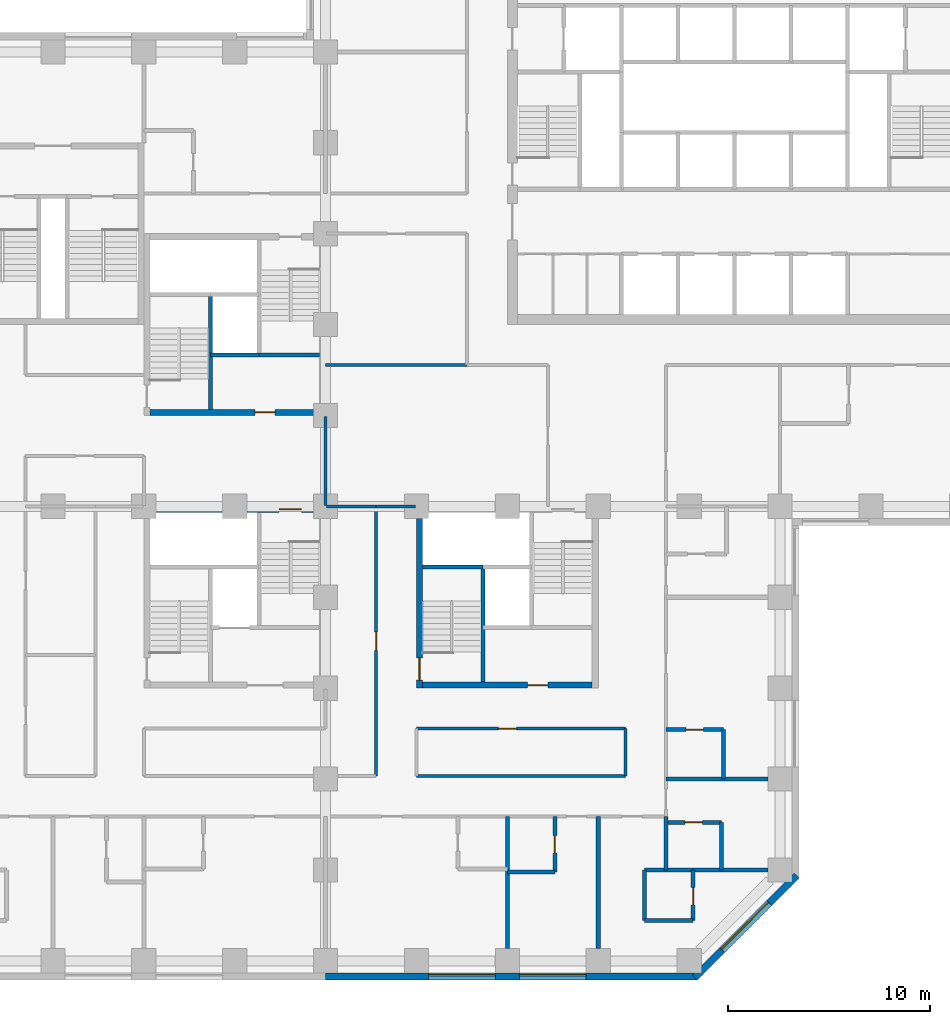
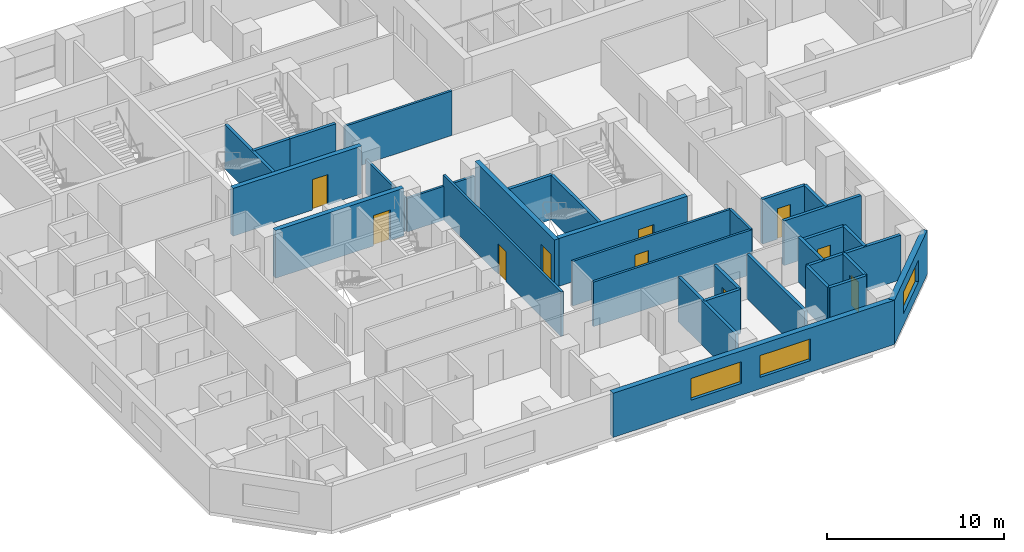
# One storey, part 4 of 12: 33 walls, 10 doors, 3 windows, 13 openings.
"""IFC4 building model written with IfcOpenShell, lengths in metres."""

from ifc_helpers import new_model, si_unit, direction, frame, frame_2d, origin, place, context, subcontext, project, spatial, rectangle, extrude, material, layer, layer_set, constituent, constituent_set, type_object, element, fill, save


model = new_model("IFC4")

# Units and contexts
model_context = context("Model", 3, precision=1e-05, world=origin(), true_north=direction((0.0, 1.0)))
body_context = subcontext(model_context, "Body", "Model", "MODEL_VIEW")
ifc_project = project(units=[si_unit("LENGTHUNIT", "METRE"), si_unit("AREAUNIT", "SQUARE_METRE"), si_unit("VOLUMEUNIT", "CUBIC_METRE"), si_unit("PLANEANGLEUNIT", "RADIAN"), si_unit("MASSUNIT", "GRAM", prefix="KILO")], contexts=[model_context])

# Site, building, storey
site_placement = place(None, origin())
site = spatial("IfcSite", under=ifc_project, at=site_placement, CompositionType="ELEMENT")
building_placement = place(site_placement, origin())
building = spatial("IfcBuilding", under=site, at=building_placement, Name="Quoin Convention Tower", CompositionType="ELEMENT")
storey_placement = place(building_placement, frame((0.0, 0.0, 33.0)))
storey = spatial("IfcBuildingStorey", under=building, at=storey_placement, Name="L07", CompositionType="ELEMENT", Elevation=33.0)

# Wall, openings, windows
ifc_material_1 = material(Name="Brick masonry", Category="masonry")
ifc_layer_1 = layer(ifc_material_1, 0.35009765625)
ifc_layer_set_1 = layer_set([ifc_layer_1], Name="Brick masonry")
wall_type_1 = type_object("IfcWallType", Name="Brick facade wall", PredefinedType="STANDARD", material=ifc_layer_set_1)
wall_1_placement = place(storey_placement, frame((36.0, 17.22509765625, 0.0), z_axis=(0.0, 0.0, 1.0), x_axis=(1.0, 0.0, 0.0)))
wall_1 = element("IfcWall", 1, at=wall_1_placement, inside=storey, type_object=wall_type_1, Name="fw-L07-36000_18000", PredefinedType="STANDARD", context=body_context, shape_type="SweptSolid", body=[
    extrude(rectangle(XDim=18.3935546875, YDim=0.35009765625, at=frame_2d((9.19677734375, 0.0))), origin(), (0.0, 0.0, 1.0), 3.054931640625),
])
opening_1_placement = place(wall_1_placement, frame((5.10009765625, 0.0, 0.800048828125)))
opening_1 = element("IfcOpeningElement", 2, at=opening_1_placement, cuts=wall_1, Name="Opening W-01", PredefinedType="OPENING", context=body_context, shape_type="SweptSolid", body=[
    extrude(rectangle(XDim=3.300048828125, YDim=1.5, at=frame_2d((1.64990234375, 0.75))), frame((0.0, 0.18505859375, 0.0), z_axis=(0.0, -1.0, 0.0), x_axis=(1.0, 0.0, 0.0)), (0.0, 0.0, 1.0), 0.3701171875),
])
opening_2_placement = place(wall_1_placement, frame((9.60009765625, 0.0, 0.800048828125)))
opening_2 = element("IfcOpeningElement", 3, at=opening_2_placement, cuts=wall_1, Name="Opening W-01", PredefinedType="OPENING", context=body_context, shape_type="SweptSolid", body=[
    extrude(rectangle(XDim=3.300048828125, YDim=1.5, at=frame_2d((1.64990234375, 0.75))), frame((0.0, 0.18505859375, 0.0), z_axis=(0.0, -1.0, 0.0), x_axis=(1.0, 0.0, 0.0)), (0.0, 0.0, 1.0), 0.3701171875),
])
ifc_material_2 = material(Name="Aluminium", Category="aluminium")
ifc_constituent_1 = constituent(ifc_material_2, Name="Frame")
ifc_material_3 = material(Name="Insulated glass", Category="glass")
ifc_constituent_2 = constituent(ifc_material_3, Name="Glazing")
ifc_constituent_set = constituent_set(constituents=[ifc_constituent_1, ifc_constituent_2], Name="Aluminium")
window_type = type_object("IfcWindowType", Name="Hotel strip window", PartitioningType="DOUBLE_PANEL_VERTICAL", PredefinedType="WINDOW", material=ifc_constituent_set)
window_1_placement = place(opening_1_placement, origin())
window_1 = element("IfcWindow", 4, at=window_1_placement, inside=storey, type_object=window_type, Name="win-L07-42750_17225", OverallHeight=1.5, OverallWidth=3.300048828125, PartitioningType="SINGLE_PANEL", PredefinedType="WINDOW", context=body_context, shape_type="SweptSolid", body=[
    extrude(rectangle(XDim=3.300048828125, YDim=1.5, at=frame_2d((1.64990234375, 0.75))), frame((0.0, 0.0849609375, 0.0), z_axis=(0.0, -1.0, 0.0), x_axis=(1.0, 0.0, 0.0)), (0.0, 0.0, 1.0), 0.06005859375),
])
fill(opening_1, window_1)
window_2_placement = place(opening_2_placement, origin())
window_2 = element("IfcWindow", 5, at=window_2_placement, inside=storey, type_object=window_type, Name="win-L07-47250_17225", OverallHeight=1.5, OverallWidth=3.300048828125, PartitioningType="SINGLE_PANEL", PredefinedType="WINDOW", context=body_context, shape_type="SweptSolid", body=[
    extrude(rectangle(XDim=3.300048828125, YDim=1.5, at=frame_2d((1.64990234375, 0.75))), frame((0.0, 0.0849609375, 0.0), z_axis=(0.0, -1.0, 0.0), x_axis=(1.0, 0.0, 0.0)), (0.0, 0.0, 1.0), 0.06005859375),
])
fill(opening_2, window_2)

# Wall, opening, window
wall_2_placement = place(storey_placement, frame((54.269775390625, 17.173583984375, 0.0), z_axis=(0.0, 0.0, 1.0), x_axis=(0.707106781187, 0.707106781187, 0.0)))
wall_2 = element("IfcWall", 6, at=wall_2_placement, inside=storey, type_object=wall_type_1, Name="fw-L07-54000_18000", PredefinedType="STANDARD", context=body_context, shape_type="SweptSolid", body=[
    extrude(rectangle(XDim=7.151123046875, YDim=0.35009765625, at=frame_2d((3.57568359375, 0.0))), origin(), (0.0, 0.0, 1.0), 3.054931640625),
])
opening_3_placement = place(wall_2_placement, frame((1.925537109375, 0.0, 0.800048828125)))
opening_3 = element("IfcOpeningElement", 7, at=opening_3_placement, cuts=wall_2, Name="Opening W-01", PredefinedType="OPENING", context=body_context, shape_type="SweptSolid", body=[
    extrude(rectangle(XDim=3.300048828125, YDim=1.5, at=frame_2d((1.64990234375, 0.75))), frame((0.0, 0.18505859375, 0.0), z_axis=(0.0, -1.0, 0.0), x_axis=(1.0, 0.0, 0.0)), (0.0, 0.0, 1.0), 0.3701171875),
])
window_3_placement = place(opening_3_placement, origin())
window_3 = element("IfcWindow", 8, at=window_3_placement, inside=storey, type_object=window_type, Name="win-L07-56798_19702", OverallHeight=1.5, OverallWidth=3.300048828125, PartitioningType="SINGLE_PANEL", PredefinedType="WINDOW", context=body_context, shape_type="SweptSolid", body=[
    extrude(rectangle(XDim=3.300048828125, YDim=1.5, at=frame_2d((1.64990234375, 0.75))), frame((0.0, 0.0849609375, 0.0), z_axis=(0.0, -1.0, 0.0), x_axis=(1.0, 0.0, 0.0)), (0.0, 0.0, 1.0), 0.06005859375),
])
fill(opening_3, window_3)

# Walls
ifc_material_4 = material(Name="Concrete C50", Category="concrete")
ifc_layer_2 = layer(ifc_material_4, 0.199951171875)
ifc_layer_set_2 = layer_set([ifc_layer_2], Name="Concrete C50")
wall_type_2 = type_object("IfcWallType", Name="Core shaft wall", PredefinedType="SOLIDWALL", material=ifc_layer_set_2)
wall_3_placement = place(storey_placement, frame((30.300048828125, 48.0, 0.0), z_axis=(0.0, 0.0, 1.0), x_axis=(1.0, 0.0, 0.0)))
element("IfcWall", 9, at=wall_3_placement, inside=storey, type_object=wall_type_2, Name="cr-P2-L07-h3000_3300", PredefinedType="SOLIDWALL", context=body_context, shape_type="SweptSolid", body=[
    extrude(rectangle(XDim=2.39990234375, YDim=0.199951171875, at=frame_2d((1.199951171875, 0.0))), origin(), (0.0, 0.0, 1.0), 3.080078125),
])
wall_4_placement = place(storey_placement, frame((32.699951171875, 48.0, 0.0), z_axis=(0.0, 0.0, 1.0), x_axis=(1.0, 0.0, 0.0)))
element("IfcWall", 10, at=wall_4_placement, inside=storey, type_object=wall_type_2, Name="cr-P2-L07-h3000_5700", PredefinedType="SOLIDWALL", context=body_context, shape_type="SweptSolid", body=[
    extrude(rectangle(XDim=3.0, YDim=0.199951171875, at=frame_2d((1.5, 0.0))), origin(), (0.0, 0.0, 1.0), 3.080078125),
])
wall_5_placement = place(storey_placement, frame((30.300048828125, 45.300048828125, 0.0), z_axis=(0.0, 0.0, 1.0), x_axis=(0.0, 1.0, 0.0)))
element("IfcWall", 11, at=wall_5_placement, inside=storey, type_object=wall_type_2, Name="cr-P2-L07-v3300_300", PredefinedType="SOLIDWALL", context=body_context, shape_type="SweptSolid", body=[
    extrude(rectangle(XDim=5.699951171875, YDim=0.199951171875, at=frame_2d((2.85009765625, 0.0))), origin(), (0.0, 0.0, 1.0), 3.080078125),
])
wall_6_placement = place(storey_placement, frame((40.800048828125, 37.5, 0.0), z_axis=(0.0, 0.0, 1.0), x_axis=(1.0, 0.0, 0.0)))
element("IfcWall", 12, at=wall_6_placement, inside=storey, type_object=wall_type_2, Name="cr-P3-L07-h6000_300", PredefinedType="SOLIDWALL", context=body_context, shape_type="SweptSolid", body=[
    extrude(rectangle(XDim=3.0, YDim=0.199951171875, at=frame_2d((1.5, 0.0))), origin(), (0.0, 0.0, 1.0), 3.080078125),
])
wall_7_placement = place(storey_placement, frame((43.800048828125, 31.800048828125, 0.0), z_axis=(0.0, 0.0, 1.0), x_axis=(0.0, 1.0, 0.0)))
element("IfcWall", 13, at=wall_7_placement, inside=storey, type_object=wall_type_2, Name="cr-P3-L07-v3300_300", PredefinedType="SOLIDWALL", context=body_context, shape_type="SweptSolid", body=[
    extrude(rectangle(XDim=5.699951171875, YDim=0.199951171875, at=frame_2d((2.85009765625, 0.0))), origin(), (0.0, 0.0, 1.0), 3.080078125),
])

# Wall, opening, door
ifc_material_5 = material(Name="Concrete C80", Category="concrete")
ifc_layer_3 = layer(ifc_material_5, 0.300048828125)
ifc_layer_set_3 = layer_set([ifc_layer_3], Name="Concrete C80")
wall_type_3 = type_object("IfcWallType", Name="RC CORE WALL 300 C80", PredefinedType="SHEAR", material=ifc_layer_set_3)
wall_8_placement = place(storey_placement, frame((27.300048828125, 45.14990234375, 0.0), z_axis=(0.0, 0.0, 1.0), x_axis=(1.0, 0.0, 0.0)))
wall_8 = element("IfcWall", 14, at=wall_8_placement, inside=storey, type_object=wall_type_3, Name="cwl-P2-L07-S", PredefinedType="SHEAR", context=body_context, shape_type="SweptSolid", body=[
    extrude(rectangle(XDim=8.39990234375, YDim=0.300048828125, at=frame_2d((4.199951171875, 0.0))), origin(), (0.0, 0.0, 1.0), 3.300048828125),
])
opening_4_placement = place(wall_8_placement, frame((5.199951171875, 0.0, 0.0)))
opening_4 = element("IfcOpeningElement", 15, at=opening_4_placement, cuts=wall_8, Name="Opening DCV3-41", PredefinedType="OPENING", context=body_context, shape_type="SweptSolid", body=[
    extrude(rectangle(XDim=1.0, YDim=2.10009765625, at=frame_2d((0.5, 1.050048828125))), frame((0.0, 0.159912109375, 0.0), z_axis=(0.0, -1.0, 0.0), x_axis=(1.0, 0.0, 0.0)), (0.0, 0.0, 1.0), 0.320068359375),
])
ifc_material_6 = material(Name="Steel door leaf", Category="steel")
door_type_1 = type_object("IfcDoorType", Name="Service door 1000 x 2100", OperationType="SINGLE_SWING_LEFT", PredefinedType="DOOR", material=ifc_material_6)
door_1_placement = place(opening_4_placement, origin())
door_1 = element("IfcDoor", 16, at=door_1_placement, inside=storey, type_object=door_type_1, Name="cd-P2-L07-R2-S", OperationType="SINGLE_SWING_LEFT", OverallHeight=2.10009765625, OverallWidth=1.0, PredefinedType="DOOR", context=body_context, shape_type="SweptSolid", body=[
    extrude(rectangle(XDim=1.0, YDim=2.10009765625, at=frame_2d((0.5, 1.050048828125))), frame((0.0, 0.02490234375, 0.0), z_axis=(0.0, -1.0, 0.0), x_axis=(1.0, 0.0, 0.0)), (0.0, 0.0, 1.0), 0.050048828125),
])
fill(opening_4, door_1)

wall_9_placement = place(storey_placement, frame((40.800048828125, 31.64990234375, 0.0), z_axis=(0.0, 0.0, 1.0), x_axis=(1.0, 0.0, 0.0)))
wall_9 = element("IfcWall", 17, at=wall_9_placement, inside=storey, type_object=wall_type_3, Name="cwl-P3-L07-S", PredefinedType="SHEAR", context=body_context, shape_type="SweptSolid", body=[
    extrude(rectangle(XDim=8.39990234375, YDim=0.300048828125, at=frame_2d((4.199951171875, 0.0))), origin(), (0.0, 0.0, 1.0), 3.300048828125),
])
opening_5_placement = place(wall_9_placement, frame((5.199951171875, 0.0, 0.0)))
opening_5 = element("IfcOpeningElement", 18, at=opening_5_placement, cuts=wall_9, Name="Opening DCV3-42", PredefinedType="OPENING", context=body_context, shape_type="SweptSolid", body=[
    extrude(rectangle(XDim=1.0, YDim=2.10009765625, at=frame_2d((0.5, 1.050048828125))), frame((0.0, 0.159912109375, 0.0), z_axis=(0.0, -1.0, 0.0), x_axis=(1.0, 0.0, 0.0)), (0.0, 0.0, 1.0), 0.320068359375),
])
door_2_placement = place(opening_5_placement, origin())
door_2 = element("IfcDoor", 19, at=door_2_placement, inside=storey, type_object=door_type_1, Name="cd-P3-L07-R2-S", OperationType="SINGLE_SWING_LEFT", OverallHeight=2.10009765625, OverallWidth=1.0, PredefinedType="DOOR", context=body_context, shape_type="SweptSolid", body=[
    extrude(rectangle(XDim=1.0, YDim=2.10009765625, at=frame_2d((0.5, 1.050048828125))), frame((0.0, 0.02490234375, 0.0), z_axis=(0.0, -1.0, 0.0), x_axis=(1.0, 0.0, 0.0)), (0.0, 0.0, 1.0), 0.050048828125),
])
fill(opening_5, door_2)

wall_10_placement = place(storey_placement, frame((40.64990234375, 31.5, 0.0), z_axis=(0.0, 0.0, 1.0), x_axis=(0.0, 1.0, 0.0)))
wall_10 = element("IfcWall", 20, at=wall_10_placement, inside=storey, type_object=wall_type_3, Name="cwl-P3-L07-W", PredefinedType="SHEAR", context=body_context, shape_type="SweptSolid", body=[
    extrude(rectangle(XDim=9.0, YDim=0.300048828125, at=frame_2d((4.5, 0.0))), origin(), (0.0, 0.0, 1.0), 3.300048828125),
])
opening_6_placement = place(wall_10_placement, frame((0.39990234375, 0.0, 0.0)))
opening_6 = element("IfcOpeningElement", 21, at=opening_6_placement, cuts=wall_10, Name="Opening SD5", PredefinedType="OPENING", context=body_context, shape_type="SweptSolid", body=[
    extrude(rectangle(XDim=1.10009765625, YDim=2.10009765625, at=frame_2d((0.550048828125, 1.050048828125))), frame((0.0, 0.159912109375, 0.0), z_axis=(0.0, -1.0, 0.0), x_axis=(1.0, 0.0, 0.0)), (0.0, 0.0, 1.0), 0.320068359375),
])
door_type_2 = type_object("IfcDoorType", Name="Stair door 1100 x 2100", OperationType="SINGLE_SWING_RIGHT", PredefinedType="DOOR", material=ifc_material_6)
door_3_placement = place(opening_6_placement, frame((1.10009765625, 0.0, 0.0), z_axis=(0.0, 0.0, 1.0), x_axis=(-1.0, 0.0, 0.0)))
door_3 = element("IfcDoor", 22, at=door_3_placement, inside=storey, type_object=door_type_2, Name="cd-P3-L07-SA-W", OperationType="SINGLE_SWING_RIGHT", OverallHeight=2.10009765625, OverallWidth=1.10009765625, PredefinedType="DOOR", context=body_context, shape_type="SweptSolid", body=[
    extrude(rectangle(XDim=1.10009765625, YDim=2.10009765625, at=frame_2d((0.550048828125, 1.050048828125))), frame((0.0, 0.02490234375, 0.0), z_axis=(0.0, -1.0, 0.0), x_axis=(1.0, 0.0, 0.0)), (0.0, 0.0, 1.0), 0.050048828125),
])
fill(opening_6, door_3)

wall_11_placement = place(storey_placement, frame((27.300048828125, 40.35009765625, 0.0), z_axis=(0.0, 0.0, 1.0), x_axis=(1.0, 0.0, 0.0)))
wall_11 = element("IfcWall", 23, at=wall_11_placement, inside=storey, type_object=wall_type_3, Name="cwl-P4-L07-N", PredefinedType="SHEAR", context=body_context, shape_type="SweptSolid", body=[
    extrude(rectangle(XDim=8.39990234375, YDim=0.300048828125, at=frame_2d((4.199951171875, 0.0))), origin(), (0.0, 0.0, 1.0), 3.300048828125),
])
opening_7_placement = place(wall_11_placement, frame((6.39990234375, 0.0, 0.0)))
opening_7 = element("IfcOpeningElement", 24, at=opening_7_placement, cuts=wall_11, Name="Opening SD8", PredefinedType="OPENING", context=body_context, shape_type="SweptSolid", body=[
    extrude(rectangle(XDim=1.10009765625, YDim=2.10009765625, at=frame_2d((0.550048828125, 1.050048828125))), frame((0.0, 0.159912109375, 0.0), z_axis=(0.0, -1.0, 0.0), x_axis=(1.0, 0.0, 0.0)), (0.0, 0.0, 1.0), 0.320068359375),
])
door_4_placement = place(opening_7_placement, frame((1.10009765625, 0.0, 0.0), z_axis=(0.0, 0.0, 1.0), x_axis=(-1.0, 0.0, 0.0)))
door_4 = element("IfcDoor", 25, at=door_4_placement, inside=storey, type_object=door_type_2, Name="cd-P4-L07-SB-N", OperationType="SINGLE_SWING_LEFT", OverallHeight=2.10009765625, OverallWidth=1.10009765625, PredefinedType="DOOR", context=body_context, shape_type="SweptSolid", body=[
    extrude(rectangle(XDim=1.10009765625, YDim=2.10009765625, at=frame_2d((0.550048828125, 1.050048828125))), frame((0.0, 0.02490234375, 0.0), z_axis=(0.0, -1.0, 0.0), x_axis=(1.0, 0.0, 0.0)), (0.0, 0.0, 1.0), 0.050048828125),
])
fill(opening_7, door_4)

# Walls
ifc_layer_4 = layer(ifc_material_4, 0.199951171875)
ifc_layer_set_4 = layer_set([ifc_layer_4], Name="Concrete C50")
wall_type_4 = type_object("IfcWallType", Name="RC party wall", PredefinedType="SOLIDWALL", material=ifc_layer_set_4)
for number, where, z_axis, x_axis, name in (
    (26, (45.0, 18.60009765625, 0.0), (0.0, 0.0, 1.0), (0.0, 1.0, 0.0), "pw-L07-038"),
    (27, (49.5, 18.60009765625, 0.0), (0.0, 0.0, 1.0), (0.0, 1.0, 0.0), "pw-L07-039"),
):
    element("IfcWall", number, at=place(storey_placement, frame(where, z_axis=z_axis, x_axis=x_axis)), inside=storey, type_object=wall_type_4, Name=name, PredefinedType="SOLIDWALL", context=body_context, shape_type="SweptSolid", body=[
        extrude(rectangle(XDim=6.5498046875, YDim=0.199951171875, at=frame_2d((3.27490234375, 0.0))), origin(), (0.0, 0.0, 1.0), 3.080078125),
    ])
wall_12_placement = place(storey_placement, frame((51.800048828125, 20.0, 0.0), z_axis=(0.0, 0.0, 1.0), x_axis=(1.0, 0.0, 0.0)))
element("IfcWall", 28, at=wall_12_placement, inside=storey, type_object=wall_type_4, Name="pw-L07-043", PredefinedType="SOLIDWALL", context=body_context, shape_type="SweptSolid", body=[
    extrude(rectangle(XDim=2.39990234375, YDim=0.199951171875, at=frame_2d((1.199951171875, 0.0))), origin(), (0.0, 0.0, 1.0), 3.080078125),
])
wall_13_placement = place(storey_placement, frame((51.800048828125, 20.0, 0.0), z_axis=(0.0, 0.0, 1.0), x_axis=(0.0, 1.0, 0.0)))
element("IfcWall", 29, at=wall_13_placement, inside=storey, type_object=wall_type_4, Name="pw-L07-044", PredefinedType="SOLIDWALL", context=body_context, shape_type="SweptSolid", body=[
    extrude(rectangle(XDim=2.5, YDim=0.199951171875, at=frame_2d((1.25, 0.0))), origin(), (0.0, 0.0, 1.0), 3.080078125),
])

# Wall, opening, door
wall_14_placement = place(storey_placement, frame((54.199951171875, 20.0, 0.0), z_axis=(0.0, 0.0, 1.0), x_axis=(0.0, 1.0, 0.0)))
wall_14 = element("IfcWall", 30, at=wall_14_placement, inside=storey, type_object=wall_type_4, Name="pw-L07-045", PredefinedType="SOLIDWALL", context=body_context, shape_type="SweptSolid", body=[
    extrude(rectangle(XDim=2.5, YDim=0.199951171875, at=frame_2d((1.25, 0.0))), origin(), (0.0, 0.0, 1.0), 3.080078125),
])
opening_8_placement = place(wall_14_placement, frame((0.77490234375, 0.0, 0.0)))
opening_8 = element("IfcOpeningElement", 31, at=opening_8_placement, cuts=wall_14, Name="Opening DHOTEL-C-43", PredefinedType="OPENING", context=body_context, shape_type="SweptSolid", body=[
    extrude(rectangle(XDim=0.85009765625, YDim=2.10009765625, at=frame_2d((0.425048828125, 1.050048828125))), frame((0.0, 0.10986328125, 0.0), z_axis=(0.0, -1.0, 0.0), x_axis=(1.0, 0.0, 0.0)), (0.0, 0.0, 1.0), 0.219970703125),
])
door_type_3 = type_object("IfcDoorType", Name="Bathroom door", OperationType="SINGLE_SWING_LEFT", PredefinedType="DOOR", material=ifc_material_6)
door_5_placement = place(opening_8_placement, frame((0.85009765625, 0.0, 0.0), z_axis=(0.0, 0.0, 1.0), x_axis=(-1.0, 0.0, 0.0)))
door_5 = element("IfcDoor", 32, at=door_5_placement, inside=storey, type_object=door_type_3, Name="dr-L07-062", OperationType="SINGLE_SWING_LEFT", OverallHeight=2.10009765625, OverallWidth=0.85009765625, PredefinedType="DOOR", context=body_context, shape_type="SweptSolid", body=[
    extrude(rectangle(XDim=0.85009765625, YDim=2.10009765625, at=frame_2d((0.425048828125, 1.050048828125))), frame((0.0, 0.02490234375, 0.0), z_axis=(0.0, -1.0, 0.0), x_axis=(1.0, 0.0, 0.0)), (0.0, 0.0, 1.0), 0.050048828125),
])
fill(opening_8, door_5)

# Wall
wall_15_placement = place(storey_placement, frame((45.0, 22.39990234375, 0.0), z_axis=(0.0, 0.0, 1.0), x_axis=(1.0, 0.0, 0.0)))
element("IfcWall", 33, at=wall_15_placement, inside=storey, type_object=wall_type_4, Name="pw-L07-048", PredefinedType="SOLIDWALL", context=body_context, shape_type="SweptSolid", body=[
    extrude(rectangle(XDim=2.35009765625, YDim=0.199951171875, at=frame_2d((1.175048828125, 0.0))), origin(), (0.0, 0.0, 1.0), 3.080078125),
])

# Wall, opening, door
wall_16_placement = place(storey_placement, frame((47.35009765625, 22.39990234375, 0.0), z_axis=(0.0, 0.0, 1.0), x_axis=(0.0, 1.0, 0.0)))
wall_16 = element("IfcWall", 34, at=wall_16_placement, inside=storey, type_object=wall_type_4, Name="pw-L07-049", PredefinedType="SOLIDWALL", context=body_context, shape_type="SweptSolid", body=[
    extrude(rectangle(XDim=2.75, YDim=0.199951171875, at=frame_2d((1.375, 0.0))), origin(), (0.0, 0.0, 1.0), 3.080078125),
])
opening_9_placement = place(wall_16_placement, frame((0.949951171875, 0.0, 0.0)))
opening_9 = element("IfcOpeningElement", 35, at=opening_9_placement, cuts=wall_16, Name="Opening DHOTEL-C-45", PredefinedType="OPENING", context=body_context, shape_type="SweptSolid", body=[
    extrude(rectangle(XDim=0.85009765625, YDim=2.10009765625, at=frame_2d((0.425048828125, 1.050048828125))), frame((0.0, 0.10986328125, 0.0), z_axis=(0.0, -1.0, 0.0), x_axis=(1.0, 0.0, 0.0)), (0.0, 0.0, 1.0), 0.219970703125),
])
door_6_placement = place(opening_9_placement, frame((0.85009765625, 0.0, 0.0), z_axis=(0.0, 0.0, 1.0), x_axis=(-1.0, 0.0, 0.0)))
door_6 = element("IfcDoor", 36, at=door_6_placement, inside=storey, type_object=door_type_3, Name="dr-L07-008", OperationType="SINGLE_SWING_LEFT", OverallHeight=2.10009765625, OverallWidth=0.85009765625, PredefinedType="DOOR", context=body_context, shape_type="SweptSolid", body=[
    extrude(rectangle(XDim=0.85009765625, YDim=2.10009765625, at=frame_2d((0.425048828125, 1.050048828125))), frame((0.0, 0.02490234375, 0.0), z_axis=(0.0, -1.0, 0.0), x_axis=(1.0, 0.0, 0.0)), (0.0, 0.0, 1.0), 0.050048828125),
])
fill(opening_9, door_6)

# Walls
wall_17_placement = place(storey_placement, frame((51.800048828125, 22.5, 0.0), z_axis=(0.0, 0.0, 1.0), x_axis=(1.0, 0.0, 0.0)))
element("IfcWall", 37, at=wall_17_placement, inside=storey, type_object=wall_type_4, Name="pw-L07-053", PredefinedType="SOLIDWALL", context=body_context, shape_type="SweptSolid", body=[
    extrude(rectangle(XDim=6.099853515625, YDim=0.199951171875, at=frame_2d((3.0498046875, 0.0))), origin(), (0.0, 0.0, 1.0), 3.080078125),
])
wall_18_placement = place(storey_placement, frame((52.85009765625, 22.5, 0.0), z_axis=(0.0, 0.0, 1.0), x_axis=(0.0, 1.0, 0.0)))
element("IfcWall", 38, at=wall_18_placement, inside=storey, type_object=wall_type_4, Name="pw-L07-054", PredefinedType="SOLIDWALL", context=body_context, shape_type="SweptSolid", body=[
    extrude(rectangle(XDim=2.64990234375, YDim=0.199951171875, at=frame_2d((1.324951171875, 0.0))), origin(), (0.0, 0.0, 1.0), 3.080078125),
])
wall_19_placement = place(storey_placement, frame((55.60009765625, 22.5, 0.0), z_axis=(0.0, 0.0, 1.0), x_axis=(0.0, 1.0, 0.0)))
element("IfcWall", 39, at=wall_19_placement, inside=storey, type_object=wall_type_4, Name="pw-L07-055", PredefinedType="SOLIDWALL", context=body_context, shape_type="SweptSolid", body=[
    extrude(rectangle(XDim=2.35009765625, YDim=0.199951171875, at=frame_2d((1.175048828125, 0.0))), origin(), (0.0, 0.0, 1.0), 3.080078125),
])

# Wall, opening, door
wall_20_placement = place(storey_placement, frame((52.85009765625, 24.85009765625, 0.0), z_axis=(0.0, 0.0, 1.0), x_axis=(1.0, 0.0, 0.0)))
wall_20 = element("IfcWall", 40, at=wall_20_placement, inside=storey, type_object=wall_type_4, Name="pw-L07-061", PredefinedType="SOLIDWALL", context=body_context, shape_type="SweptSolid", body=[
    extrude(rectangle(XDim=2.75, YDim=0.199951171875, at=frame_2d((1.375, 0.0))), origin(), (0.0, 0.0, 1.0), 3.080078125),
])
opening_10_placement = place(wall_20_placement, frame((0.949951171875, 0.0, 0.0)))
opening_10 = element("IfcOpeningElement", 41, at=opening_10_placement, cuts=wall_20, Name="Opening DHOTEL-C-49", PredefinedType="OPENING", context=body_context, shape_type="SweptSolid", body=[
    extrude(rectangle(XDim=0.85009765625, YDim=2.10009765625, at=frame_2d((0.425048828125, 1.050048828125))), frame((0.0, 0.10986328125, 0.0), z_axis=(0.0, -1.0, 0.0), x_axis=(1.0, 0.0, 0.0)), (0.0, 0.0, 1.0), 0.219970703125),
])
door_7_placement = place(opening_10_placement, origin())
door_7 = element("IfcDoor", 42, at=door_7_placement, inside=storey, type_object=door_type_3, Name="dr-L07-024", OperationType="SINGLE_SWING_RIGHT", OverallHeight=2.10009765625, OverallWidth=0.85009765625, PredefinedType="DOOR", context=body_context, shape_type="SweptSolid", body=[
    extrude(rectangle(XDim=0.85009765625, YDim=2.10009765625, at=frame_2d((0.425048828125, 1.050048828125))), frame((0.0, 0.02490234375, 0.0), z_axis=(0.0, -1.0, 0.0), x_axis=(1.0, 0.0, 0.0)), (0.0, 0.0, 1.0), 0.050048828125),
])
fill(opening_10, door_7)

# Walls
wall_21_placement = place(storey_placement, frame((52.85009765625, 27.0, 0.0), z_axis=(0.0, 0.0, 1.0), x_axis=(1.0, 0.0, 0.0)))
element("IfcWall", 43, at=wall_21_placement, inside=storey, type_object=wall_type_4, Name="pw-L07-064", PredefinedType="SOLIDWALL", context=body_context, shape_type="SweptSolid", body=[
    extrude(rectangle(XDim=5.0498046875, YDim=0.199951171875, at=frame_2d((2.52490234375, 0.0))), origin(), (0.0, 0.0, 1.0), 3.080078125),
])
wall_22_placement = place(storey_placement, frame((55.699951171875, 27.0, 0.0), z_axis=(0.0, 0.0, 1.0), x_axis=(0.0, 1.0, 0.0)))
element("IfcWall", 44, at=wall_22_placement, inside=storey, type_object=wall_type_4, Name="pw-L07-065", PredefinedType="SOLIDWALL", context=body_context, shape_type="SweptSolid", body=[
    extrude(rectangle(XDim=2.449951171875, YDim=0.199951171875, at=frame_2d((1.22509765625, 0.0))), origin(), (0.0, 0.0, 1.0), 3.080078125),
])

# Wall, opening, door
wall_23_placement = place(storey_placement, frame((52.85009765625, 29.449951171875, 0.0), z_axis=(0.0, 0.0, 1.0), x_axis=(1.0, 0.0, 0.0)))
wall_23 = element("IfcWall", 45, at=wall_23_placement, inside=storey, type_object=wall_type_4, Name="pw-L07-067", PredefinedType="SOLIDWALL", context=body_context, shape_type="SweptSolid", body=[
    extrude(rectangle(XDim=2.849853515625, YDim=0.199951171875, at=frame_2d((1.4248046875, 0.0))), origin(), (0.0, 0.0, 1.0), 3.080078125),
])
opening_11_placement = place(wall_23_placement, frame((1.0, 0.0, 0.0)))
opening_11 = element("IfcOpeningElement", 46, at=opening_11_placement, cuts=wall_23, Name="Opening DHOTEL-C-51", PredefinedType="OPENING", context=body_context, shape_type="SweptSolid", body=[
    extrude(rectangle(XDim=0.85009765625, YDim=2.10009765625, at=frame_2d((0.425048828125, 1.050048828125))), frame((0.0, 0.10986328125, 0.0), z_axis=(0.0, -1.0, 0.0), x_axis=(1.0, 0.0, 0.0)), (0.0, 0.0, 1.0), 0.219970703125),
])
door_8_placement = place(opening_11_placement, origin())
door_8 = element("IfcDoor", 47, at=door_8_placement, inside=storey, type_object=door_type_3, Name="dr-L07-026", OperationType="SINGLE_SWING_LEFT", OverallHeight=2.10009765625, OverallWidth=0.85009765625, PredefinedType="DOOR", context=body_context, shape_type="SweptSolid", body=[
    extrude(rectangle(XDim=0.85009765625, YDim=2.10009765625, at=frame_2d((0.425048828125, 1.050048828125))), frame((0.0, 0.02490234375, 0.0), z_axis=(0.0, -1.0, 0.0), x_axis=(1.0, 0.0, 0.0)), (0.0, 0.0, 1.0), 0.050048828125),
])
fill(opening_11, door_8)

ifc_material_7 = material(Name="Plasterboard")
ifc_layer_5 = layer(ifc_material_7, 0.012451171875, Name="Finish")
ifc_material_8 = material(Name="Steel stud framing", Category="steel")
ifc_layer_6 = layer(ifc_material_8, 0.125, Name="Structure")
ifc_layer_7 = layer(ifc_material_7, 0.012451171875, Name="Finish")
ifc_layer_set_5 = layer_set([ifc_layer_5, ifc_layer_6, ifc_layer_7], Name="Steel stud framing")
wall_type_5 = type_object("IfcWallType", Name="corridor partition", PredefinedType="PARTITIONING", material=ifc_layer_set_5)
wall_24_placement = place(storey_placement, frame((38.5, 27.14990234375, 0.0), z_axis=(0.0, 0.0, 1.0), x_axis=(0.0, 1.0, 0.0)))
wall_24 = element("IfcWall", 48, at=wall_24_placement, inside=storey, type_object=wall_type_5, Name="pw-L07-011", PredefinedType="PARTITIONING", context=body_context, shape_type="SweptSolid", body=[
    extrude(rectangle(XDim=13.35009765625, YDim=0.14990234375, at=frame_2d((6.675048828125, 0.0))), origin(), (0.0, 0.0, 1.0), 3.080078125),
])
opening_12_placement = place(wall_24_placement, frame((6.22509765625, 0.0, 0.0)))
opening_12 = element("IfcOpeningElement", 49, at=opening_12_placement, cuts=wall_24, Name="Opening DHOTEL-C-19", PredefinedType="OPENING", context=body_context, shape_type="SweptSolid", body=[
    extrude(rectangle(XDim=0.89990234375, YDim=2.10009765625, at=frame_2d((0.449951171875, 1.050048828125))), frame((0.0, 0.0849609375, 0.0), z_axis=(0.0, -1.0, 0.0), x_axis=(1.0, 0.0, 0.0)), (0.0, 0.0, 1.0), 0.169921875),
])
door_type_4 = type_object("IfcDoorType", Name="Single room door", OperationType="SINGLE_SWING_RIGHT", PredefinedType="DOOR", material=ifc_material_6)
door_9_placement = place(opening_12_placement, origin())
door_9 = element("IfcDoor", 50, at=door_9_placement, inside=storey, type_object=door_type_4, Name="dr-L07-073", OperationType="SINGLE_SWING_RIGHT", OverallHeight=2.10009765625, OverallWidth=0.89990234375, PredefinedType="DOOR", context=body_context, shape_type="SweptSolid", body=[
    extrude(rectangle(XDim=0.89990234375, YDim=2.10009765625, at=frame_2d((0.449951171875, 1.050048828125))), frame((0.0, 0.02490234375, 0.0), z_axis=(0.0, -1.0, 0.0), x_axis=(1.0, 0.0, 0.0)), (0.0, 0.0, 1.0), 0.050048828125),
])
fill(opening_12, door_9)

# Walls
wall_25_placement = place(storey_placement, frame((40.5, 27.14990234375, 0.0), z_axis=(0.0, 0.0, 1.0), x_axis=(1.0, 0.0, 0.0)))
element("IfcWall", 51, at=wall_25_placement, inside=storey, type_object=wall_type_5, Name="pw-L07-012", PredefinedType="PARTITIONING", context=body_context, shape_type="SweptSolid", body=[
    extrude(rectangle(XDim=10.35009765625, YDim=0.14990234375, at=frame_2d((5.175048828125, 0.0))), origin(), (0.0, 0.0, 1.0), 3.080078125),
])
wall_26_placement = place(storey_placement, frame((50.85009765625, 27.14990234375, 0.0), z_axis=(0.0, 0.0, 1.0), x_axis=(0.0, 1.0, 0.0)))
element("IfcWall", 52, at=wall_26_placement, inside=storey, type_object=wall_type_5, Name="pw-L07-014", PredefinedType="PARTITIONING", context=body_context, shape_type="SweptSolid", body=[
    extrude(rectangle(XDim=2.35009765625, YDim=0.14990234375, at=frame_2d((1.175048828125, 0.0))), origin(), (0.0, 0.0, 1.0), 3.080078125),
])

# Wall, opening, door
wall_27_placement = place(storey_placement, frame((40.5, 29.5, 0.0), z_axis=(0.0, 0.0, 1.0), x_axis=(1.0, 0.0, 0.0)))
wall_27 = element("IfcWall", 53, at=wall_27_placement, inside=storey, type_object=wall_type_5, Name="pw-L07-017", PredefinedType="PARTITIONING", context=body_context, shape_type="SweptSolid", body=[
    extrude(rectangle(XDim=10.35009765625, YDim=0.14990234375, at=frame_2d((5.175048828125, 0.0))), origin(), (0.0, 0.0, 1.0), 3.080078125),
])
opening_13_placement = place(wall_27_placement, frame((4.06005859375, 0.0, 0.0)))
opening_13 = element("IfcOpeningElement", 54, at=opening_13_placement, cuts=wall_27, Name="Opening DHOTEL-C-20", PredefinedType="OPENING", context=body_context, shape_type="SweptSolid", body=[
    extrude(rectangle(XDim=0.89990234375, YDim=2.10009765625, at=frame_2d((0.449951171875, 1.050048828125))), frame((0.0, 0.0849609375, 0.0), z_axis=(0.0, -1.0, 0.0), x_axis=(1.0, 0.0, 0.0)), (0.0, 0.0, 1.0), 0.169921875),
])
door_10_placement = place(opening_13_placement, frame((0.89990234375, 0.0, 0.0), z_axis=(0.0, 0.0, 1.0), x_axis=(-1.0, 0.0, 0.0)))
door_10 = element("IfcDoor", 55, at=door_10_placement, inside=storey, type_object=door_type_4, Name="dr-L07-w02", OperationType="SINGLE_SWING_RIGHT", OverallHeight=2.10009765625, OverallWidth=0.89990234375, PredefinedType="DOOR", context=body_context, shape_type="SweptSolid", body=[
    extrude(rectangle(XDim=0.89990234375, YDim=2.10009765625, at=frame_2d((0.449951171875, 1.050048828125))), frame((0.0, 0.02490234375, 0.0), z_axis=(0.0, -1.0, 0.0), x_axis=(1.0, 0.0, 0.0)), (0.0, 0.0, 1.0), 0.050048828125),
])
fill(opening_13, door_10)

# Walls
ifc_layer_8 = layer(ifc_material_7, 0.012451171875, Name="Finish")
ifc_layer_9 = layer(ifc_material_8, 0.125, Name="Structure")
ifc_layer_10 = layer(ifc_material_7, 0.012451171875, Name="Finish")
ifc_layer_set_6 = layer_set([ifc_layer_8, ifc_layer_9, ifc_layer_10], Name="Steel stud framing")
wall_type_6 = type_object("IfcWallType", Name="corridor partition under beam 750", PredefinedType="PARTITIONING", material=ifc_layer_set_6)
wall_28_placement = place(storey_placement, frame((38.5, 40.5, 0.0), z_axis=(0.0, 0.0, 1.0), x_axis=(1.0, 0.0, 0.0)))
element("IfcWall", 56, at=wall_28_placement, inside=storey, type_object=wall_type_6, Name="pw-L07-019", PredefinedType="PARTITIONING", context=body_context, shape_type="SweptSolid", body=[
    extrude(rectangle(XDim=1.949951171875, YDim=0.14990234375, at=frame_2d((0.97509765625, 0.0))), origin(), (0.0, 0.0, 1.0), 2.330078125),
])
wall_29_placement = place(storey_placement, frame((36.0, 40.550048828125, 0.0), z_axis=(0.0, 0.0, 1.0), x_axis=(0.0, 1.0, 0.0)))
element("IfcWall", 57, at=wall_29_placement, inside=storey, type_object=wall_type_6, Name="pw-L07-021", PredefinedType="PARTITIONING", context=body_context, shape_type="SweptSolid", body=[
    extrude(rectangle(XDim=4.39990234375, YDim=0.14990234375, at=frame_2d((2.199951171875, 0.0))), origin(), (0.0, 0.0, 1.0), 2.330078125),
])
ifc_layer_11 = layer(ifc_material_7, 0.012451171875, Name="Finish")
ifc_layer_12 = layer(ifc_material_8, 0.125, Name="Structure")
ifc_layer_13 = layer(ifc_material_7, 0.012451171875, Name="Finish")
ifc_layer_set_7 = layer_set([ifc_layer_11, ifc_layer_12, ifc_layer_13], Name="Steel stud framing")
wall_type_7 = type_object("IfcWallType", Name="room partition", PredefinedType="PARTITIONING", material=ifc_layer_set_7)
wall_30_placement = place(storey_placement, frame((36.0, 47.5, 0.0), z_axis=(0.0, 0.0, 1.0), x_axis=(1.0, 0.0, 0.0)))
element("IfcWall", 58, at=wall_30_placement, inside=storey, type_object=wall_type_7, Name="pw-L07-161", PredefinedType="PARTITIONING", context=body_context, shape_type="SweptSolid", body=[
    extrude(rectangle(XDim=7.0, YDim=0.14990234375, at=frame_2d((3.5, 0.0))), origin(), (0.0, 0.0, 1.0), 3.080078125),
])
ifc_layer_14 = layer(ifc_material_7, 0.012451171875, Name="Finish")
ifc_layer_15 = layer(ifc_material_8, 0.125, Name="Structure")
ifc_layer_16 = layer(ifc_material_7, 0.012451171875, Name="Finish")
ifc_layer_set_8 = layer_set([ifc_layer_14, ifc_layer_15, ifc_layer_16], Name="Steel stud framing")
wall_type_8 = type_object("IfcWallType", Name="room partition under beam 750", PredefinedType="PARTITIONING", material=ifc_layer_set_8)
wall_31_placement = place(storey_placement, frame((36.050048828125, 40.5, 0.0), z_axis=(0.0, 0.0, 1.0), x_axis=(1.0, 0.0, 0.0)))
element("IfcWall", 59, at=wall_31_placement, inside=storey, type_object=wall_type_8, Name="pw-L07-156", PredefinedType="PARTITIONING", context=body_context, shape_type="SweptSolid", body=[
    extrude(rectangle(XDim=2.449951171875, YDim=0.14990234375, at=frame_2d((1.22509765625, 0.0))), origin(), (0.0, 0.0, 1.0), 2.330078125),
])

save(model, "model.ifc")
